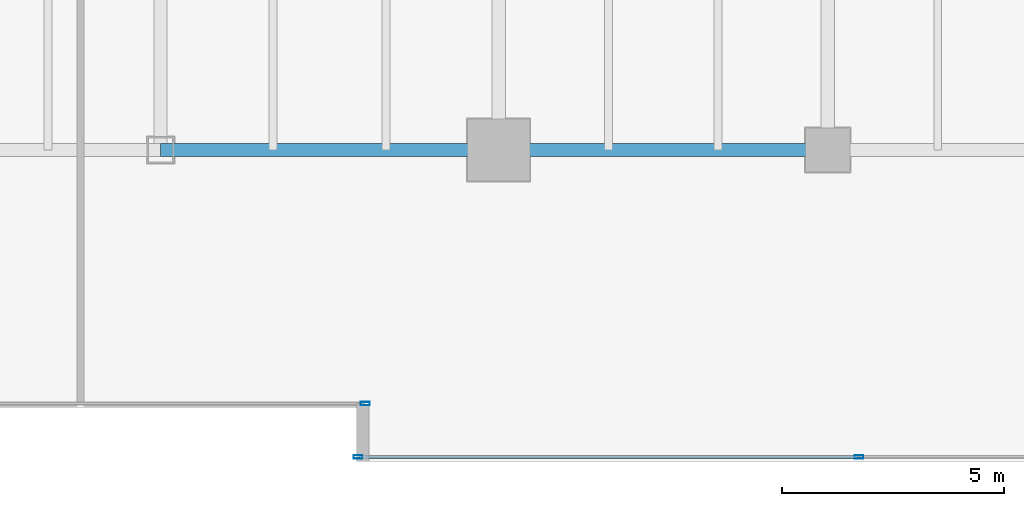
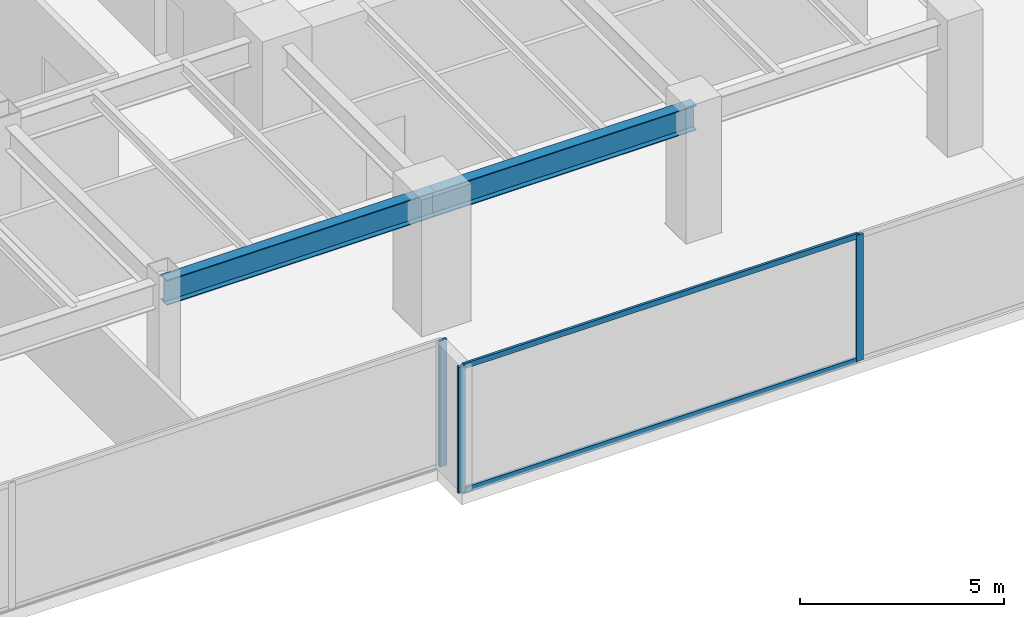
# One storey, part 10 of 36: 5 members, 2 beams, 2 elements without a shape of their own.
"""IFC4 building model written with IfcOpenShell, lengths in metres."""

from ifc_helpers import new_model, si_unit, direction, frame, origin, origin_2d, place, context, subcontext, project, spatial, hollow_rectangle, i_section, extrude, source, transform, mapped, material, layer, layer_set, material_profile, profile_set, type_object, type_shapes, element, aggregate, save


model = new_model("IFC4")

# Units and contexts
model_context = context("Model", 3, precision=1e-05, world=origin(), true_north=direction((0.0, 1.0)))
body_context = subcontext(model_context, "Body", "Model", "MODEL_VIEW")
ifc_project = project(units=[si_unit("LENGTHUNIT", "METRE"), si_unit("AREAUNIT", "SQUARE_METRE"), si_unit("VOLUMEUNIT", "CUBIC_METRE"), si_unit("PLANEANGLEUNIT", "RADIAN"), si_unit("MASSUNIT", "GRAM", prefix="KILO")], contexts=[model_context])

# Site, building, storey
site_placement = place(None, origin())
site = spatial("IfcSite", under=ifc_project, at=site_placement, CompositionType="ELEMENT")
building_placement = place(site_placement, origin())
building = spatial("IfcBuilding", under=site, at=building_placement, Name="Haelvirn Gate Laboratories", CompositionType="ELEMENT")
storey_placement = place(building_placement, frame((0.0, 0.0, 49.800048828125)))
storey = spatial("IfcBuildingStorey", under=building, at=storey_placement, Name="L12", CompositionType="ELEMENT", Elevation=49.800048828125)

# Beams
ifc_material_1 = material(Name="Steel SM355", Category="steel")
ifc_material_profile_1 = material_profile(ifc_material_1, i_section(OverallWidth=0.300048828125, OverallDepth=0.75, WebThickness=0.013916015625, FlangeThickness=0.02392578125, at=origin_2d()), Name="H-750x300x14x24")
ifc_profile_set_1 = profile_set([ifc_material_profile_1], Name="Steel SM355")
beam_type = type_object("IfcBeamType", Name="BM-G-750", PredefinedType="BEAM", material=ifc_profile_set_1)
shared_shape_1 = source(origin(), body_context, "Body", "SweptSolid", [
    extrude(i_section(OverallWidth=0.300048828125, OverallDepth=0.75, WebThickness=0.013916015625, FlangeThickness=0.02392578125, at=origin_2d()), origin(), (0.0, 0.0, 1.0), 7.39990234375),
])
beam_1_placement = place(storey_placement, frame((52.60009765625, 7.0, 3.405029296875), z_axis=(1.0, 0.0, 0.0), x_axis=(0.0, 1.0, 0.0)))
element("IfcBeam", 1, at=beam_1_placement, inside=storey, type_object=beam_type, Name="L12 Primary Girder Y7.0 (52.6-60.0)", PredefinedType="BEAM", context=body_context, shape_type="MappedRepresentation", body=[
    mapped(shared_shape_1, transform((0.0, 0.0, 0.0), scale=1.0)),
])
shared_shape_2 = source(origin(), body_context, "Body", "SweptSolid", [
    extrude(i_section(OverallWidth=0.300048828125, OverallDepth=0.75, WebThickness=0.013916015625, FlangeThickness=0.02392578125, at=origin_2d()), origin(), (0.0, 0.0, 1.0), 7.60009765625),
])
type_shapes(beam_type, [shared_shape_1, shared_shape_2])
beam_2_placement = place(storey_placement, frame((45.0, 7.0, 3.405029296875), z_axis=(1.0, 0.0, 0.0), x_axis=(0.0, 1.0, 0.0)))
element("IfcBeam", 2, at=beam_2_placement, inside=storey, type_object=beam_type, Name="L12 Primary Girder Y7.0 (45.0-52.6)", PredefinedType="BEAM", context=body_context, shape_type="MappedRepresentation", body=[
    mapped(shared_shape_2, transform((0.0, 0.0, 0.0), scale=1.0)),
])

# Curtain wall, member
ifc_material_2 = material(Name="Anodised bronze unitised aluminium & triple low-E glass", Category="aluminium")
ifc_layer = layer(ifc_material_2, 0.18408203125, Name="CW-SYS-2")
ifc_layer_set = layer_set([ifc_layer], Name="Anodised bronze unitised aluminium & triple low-E glass")
curtain_wall_type = type_object("IfcCurtainWallType", Name="CW-SYS-2", PredefinedType="NOTDEFINED", material=ifc_layer_set)
curtain_wall_1_placement = place(storey_placement, origin())
curtain_wall_1 = element("IfcCurtainWall", 3, at=curtain_wall_1_placement, inside=storey, type_object=curtain_wall_type, Name="L12 Unitised Curtain Wall CW-L12-P0-E02-1", PredefinedType="NOTDEFINED")
ifc_material_3 = material(Name="Extruded aluminium 6063-T6 (anodised bronze)", Category="aluminium")
ifc_material_profile_2 = material_profile(ifc_material_3, hollow_rectangle(XDim=0.074951171875, YDim=0.199951171875, WallThickness=0.0048828125, at=origin_2d()), Name="CWM-200x75x5")
ifc_profile_set_2 = profile_set([ifc_material_profile_2], Name="Extruded aluminium 6063-T6 (anodised bronze)")
member_type_1 = type_object("IfcMemberType", Name="CWM-T200", PredefinedType="MULLION", material=ifc_profile_set_2)
shared_shape_3 = source(origin(), body_context, "Body", "SweptSolid", [
    extrude(hollow_rectangle(XDim=0.074951171875, YDim=0.199951171875, WallThickness=0.0048828125, at=origin_2d()), origin(), (0.0, 0.0, 1.0), 3.780029296875),
])
type_shapes(member_type_1, [shared_shape_3])
member_1_placement = place(storey_placement, frame((49.6025390625, 1.300048828125, 0.0), z_axis=(0.0, 0.0, 1.0), x_axis=(0.0, 1.0, 0.0)))
member_1 = element("IfcMember", 4, at=member_1_placement, type_object=member_type_1, Name="CW2 mullion 3", PredefinedType="MULLION", context=body_context, shape_type="MappedRepresentation", body=[
    mapped(shared_shape_3, transform((0.0, 0.0, 0.0), scale=1.0)),
])
aggregate(curtain_wall_1, [member_1])

# Curtain wall, members
curtain_wall_2_placement = place(storey_placement, origin())
curtain_wall_2 = element("IfcCurtainWall", 5, at=curtain_wall_2_placement, inside=storey, type_object=curtain_wall_type, Name="L12 Unitised Curtain Wall CW-L12-P0-E04-1", PredefinedType="NOTDEFINED")
member_2_placement = place(storey_placement, frame((49.4375, 0.10009765625, 0.0), z_axis=(0.0, 0.0, 1.0), x_axis=(0.0, 1.0, 0.0)))
member_2 = element("IfcMember", 6, at=member_2_placement, type_object=member_type_1, Name="CW2 mullion 1", PredefinedType="MULLION", context=body_context, shape_type="MappedRepresentation", body=[
    mapped(shared_shape_3, transform((0.0, 0.0, 0.0), scale=1.0)),
])
member_3_placement = place(storey_placement, frame((60.699951171875, 0.10009765625, 0.0), z_axis=(0.0, 0.0, 1.0), x_axis=(0.0, 1.0, 0.0)))
member_3 = element("IfcMember", 7, at=member_3_placement, type_object=member_type_1, Name="CW2 mullion 2", PredefinedType="MULLION", context=body_context, shape_type="MappedRepresentation", body=[
    mapped(shared_shape_3, transform((0.0, 0.0, 0.0), scale=1.0)),
])
ifc_material_profile_3 = material_profile(ifc_material_3, hollow_rectangle(XDim=0.070068359375, YDim=0.159912109375, WallThickness=0.0048828125, at=origin_2d()), Name="CWT-160x70x5")
ifc_profile_set_3 = profile_set([ifc_material_profile_3], Name="Extruded aluminium 6063-T6 (anodised bronze)")
member_type_2 = type_object("IfcMemberType", Name="CWT-T160", PredefinedType="USERDEFINED", material=ifc_profile_set_3)
shared_shape_4 = source(origin(), body_context, "Body", "SweptSolid", [
    extrude(hollow_rectangle(XDim=0.070068359375, YDim=0.159912109375, WallThickness=0.0048828125, at=origin_2d()), origin(), (0.0, 0.0, 1.0), 11.1875),
])
type_shapes(member_type_2, [shared_shape_4])
member_4_placement = place(storey_placement, frame((49.47509765625, 0.10009765625, 0.034912109375), z_axis=(1.0, 0.0, 0.0), x_axis=(0.0, 1.0, 0.0)))
member_4 = element("IfcMember", 8, at=member_4_placement, type_object=member_type_2, Name="CW2 transom 1.1", ObjectType="TRANSOM", PredefinedType="USERDEFINED", context=body_context, shape_type="MappedRepresentation", body=[
    mapped(shared_shape_4, transform((0.0, 0.0, 0.0), scale=1.0)),
])
member_5_placement = place(storey_placement, frame((49.47509765625, 0.10009765625, 3.744873046875), z_axis=(1.0, 0.0, 0.0), x_axis=(0.0, 1.0, 0.0)))
member_5 = element("IfcMember", 9, at=member_5_placement, type_object=member_type_2, Name="CW2 transom 1.2", ObjectType="TRANSOM", PredefinedType="USERDEFINED", context=body_context, shape_type="MappedRepresentation", body=[
    mapped(shared_shape_4, transform((0.0, 0.0, 0.0), scale=1.0)),
])
aggregate(curtain_wall_2, [member_2, member_3, member_4, member_5])

save(model, "model.ifc")
